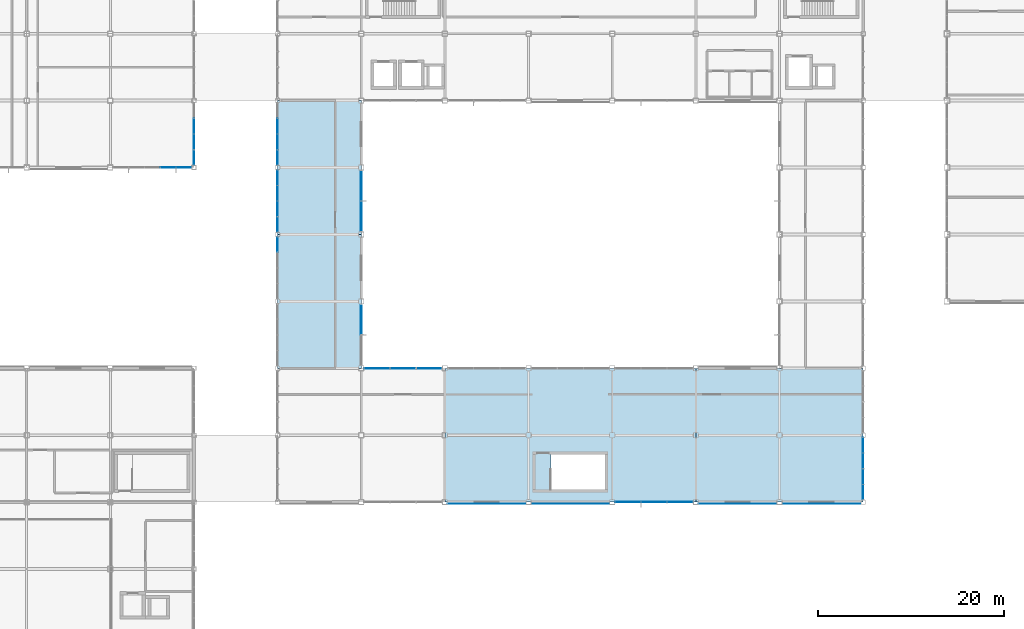
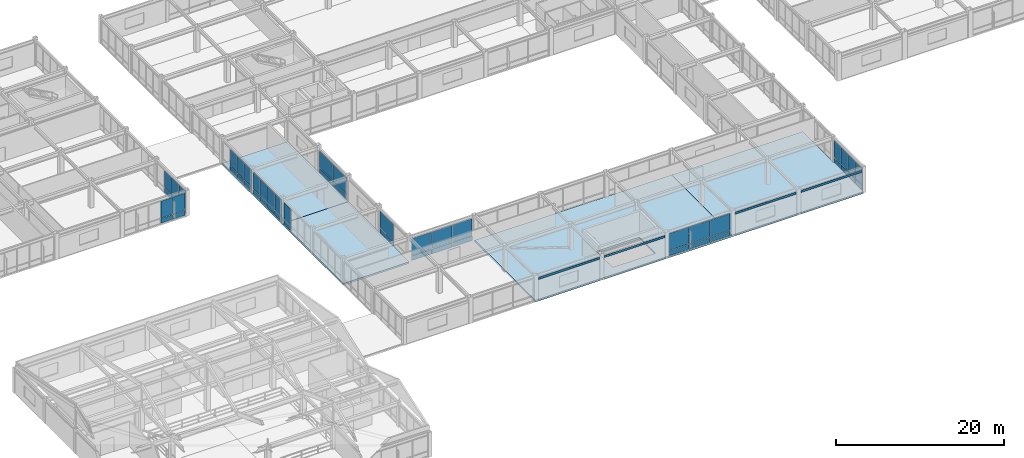
# One storey, part 85 of 113: 56 plates, 4 slabs, 10 elements without a shape of their own.
"""IFC4 building model written with IfcOpenShell, lengths in metres."""

from ifc_helpers import new_model, si_unit, direction, frame, origin, origin_2d, place, context, subcontext, project, spatial, polyline, rectangle, outline, extrude, material, layer, layer_set, type_object, element, aggregate, save


model = new_model("IFC4")

# Units and contexts
model_context = context("Model", 3, precision=1e-05, world=origin(), true_north=direction((0.0, 1.0)))
body_context = subcontext(model_context, "Body", "Model", "MODEL_VIEW")
ifc_project = project(units=[si_unit("LENGTHUNIT", "METRE"), si_unit("AREAUNIT", "SQUARE_METRE"), si_unit("VOLUMEUNIT", "CUBIC_METRE"), si_unit("PLANEANGLEUNIT", "RADIAN"), si_unit("MASSUNIT", "GRAM", prefix="KILO")], contexts=[model_context])

# Site, building, storey
site_placement = place(None, origin())
site = spatial("IfcSite", under=ifc_project, at=site_placement, CompositionType="ELEMENT")
building_placement = place(site_placement, origin())
building = spatial("IfcBuilding", under=site, at=building_placement, Name="Kazanami Central Library", CompositionType="ELEMENT")
storey_placement = place(building_placement, frame((0.0, 0.0, 8.800048828125)))
storey = spatial("IfcBuildingStorey", under=building, at=storey_placement, Name="L03", CompositionType="ELEMENT", Elevation=8.800048828125)

# Curtain wall, plates
ifc_material_1 = material(Name="Acid-Etched Low-E Laminated Glass", Category="glass")
curtain_wall_type_1 = type_object("IfcCurtainWallType", Name="CW-8450x3330-M275", PredefinedType="USERDEFINED", material=ifc_material_1)
curtain_wall_1_placement = place(storey_placement, origin())
curtain_wall_1 = element("IfcCurtainWall", 1, at=curtain_wall_1_placement, inside=storey, type_object=curtain_wall_type_1, Name="Unitised Curtain Wall CW-25 L03 N-F-06", ObjectType="UNITISED CURTAIN WALL", PredefinedType="USERDEFINED")
ifc_layer_1 = layer(ifc_material_1, 0.035888671875, Name="Acid-Etched Low-E Laminated Glass")
ifc_layer_set_1 = layer_set([ifc_layer_1], Name="Acid-Etched Low-E Laminated Glass")
plate_type_1 = type_object("IfcPlateType", Name="PLT-CW-P1", PredefinedType="CURTAIN_PANEL", material=ifc_layer_set_1)
plate_1_placement = place(storey_placement, frame((61.299072265625, 36.0, 0.81494140625), z_axis=(0.0, 0.0, 1.0), x_axis=(-1.0, 0.0, 0.0)))
plate_1 = element("IfcPlate", 2, at=plate_1_placement, type_object=plate_type_1, Name="CW-25 panel 1.2", PredefinedType="CURTAIN_PANEL", context=body_context, shape_type="SweptSolid", body=[
    extrude(rectangle(XDim=2.711669921875, YDim=0.035888671875, at=origin_2d()), origin(), (0.0, 0.0, 1.0), 2.445068359375),
])
plate_2_placement = place(storey_placement, frame((58.5, 36.0, 0.81494140625), z_axis=(0.0, 0.0, 1.0), x_axis=(-1.0, 0.0, 0.0)))
plate_2 = element("IfcPlate", 3, at=plate_2_placement, type_object=plate_type_1, Name="CW-25 panel 2.2", PredefinedType="CURTAIN_PANEL", context=body_context, shape_type="SweptSolid", body=[
    extrude(rectangle(XDim=2.74658203125, YDim=0.035888671875, at=origin_2d()), origin(), (0.0, 0.0, 1.0), 2.445068359375),
])
plate_3_placement = place(storey_placement, frame((55.700927734375, 36.0, 0.81494140625), z_axis=(0.0, 0.0, 1.0), x_axis=(-1.0, 0.0, 0.0)))
plate_3 = element("IfcPlate", 4, at=plate_3_placement, type_object=plate_type_1, Name="CW-25 panel 3.2", PredefinedType="CURTAIN_PANEL", context=body_context, shape_type="SweptSolid", body=[
    extrude(rectangle(XDim=2.711669921875, YDim=0.035888671875, at=origin_2d()), origin(), (0.0, 0.0, 1.0), 2.445068359375),
])

curtain_wall_2_placement = place(storey_placement, origin())
curtain_wall_2 = element("IfcCurtainWall", 5, at=curtain_wall_2_placement, inside=storey, type_object=curtain_wall_type_1, Name="Unitised Curtain Wall CW-25 L03 S-D-09", ObjectType="UNITISED CURTAIN WALL", PredefinedType="USERDEFINED")
ifc_layer_2 = layer(ifc_material_1, 0.0439453125, Name="Acid-Etched Low-E Laminated Glass")
ifc_layer_set_2 = layer_set([ifc_layer_2], Name="Acid-Etched Low-E Laminated Glass")
plate_type_2 = type_object("IfcPlateType", Name="PLT-CW-P2", PredefinedType="CURTAIN_PANEL", material=ifc_layer_set_2)
plate_4_placement = place(storey_placement, frame((82.700927734375, 21.60009765625, 0.81494140625), z_axis=(0.0, 0.0, 1.0), x_axis=(1.0, 0.0, 0.0)))
plate_4 = element("IfcPlate", 6, at=plate_4_placement, type_object=plate_type_2, Name="CW-25 panel 1.2", PredefinedType="CURTAIN_PANEL", context=body_context, shape_type="SweptSolid", body=[
    extrude(rectangle(XDim=2.711669921875, YDim=0.0439453125, at=origin_2d()), origin(), (0.0, 0.0, 1.0), 2.445068359375),
])
plate_5_placement = place(storey_placement, frame((85.5, 21.60009765625, 0.81494140625), z_axis=(0.0, 0.0, 1.0), x_axis=(1.0, 0.0, 0.0)))
plate_5 = element("IfcPlate", 7, at=plate_5_placement, type_object=plate_type_2, Name="CW-25 panel 2.2", PredefinedType="CURTAIN_PANEL", context=body_context, shape_type="SweptSolid", body=[
    extrude(rectangle(XDim=2.74658203125, YDim=0.0439453125, at=origin_2d()), origin(), (0.0, 0.0, 1.0), 2.445068359375),
])
plate_6_placement = place(storey_placement, frame((88.299072265625, 21.60009765625, 0.81494140625), z_axis=(0.0, 0.0, 1.0), x_axis=(1.0, 0.0, 0.0)))
plate_6 = element("IfcPlate", 8, at=plate_6_placement, type_object=plate_type_2, Name="CW-25 panel 3.2", PredefinedType="CURTAIN_PANEL", context=body_context, shape_type="SweptSolid", body=[
    extrude(rectangle(XDim=2.711669921875, YDim=0.0439453125, at=origin_2d()), origin(), (0.0, 0.0, 1.0), 2.445068359375),
])

curtain_wall_type_2 = type_object("IfcCurtainWallType", Name="CW-8500x3330-M180", PredefinedType="USERDEFINED", material=ifc_material_1)
curtain_wall_3_placement = place(storey_placement, origin())
curtain_wall_3 = element("IfcCurtainWall", 9, at=curtain_wall_3_placement, inside=storey, type_object=curtain_wall_type_2, Name="Unitised Curtain Wall CW-28 L03 S-J-03", ObjectType="UNITISED CURTAIN WALL", PredefinedType="USERDEFINED")
plate_7_placement = place(storey_placement, frame((33.22509765625, 57.60009765625, 0.81005859375), z_axis=(0.0, 0.0, 1.0), x_axis=(1.0, 0.0, 0.0)))
plate_7 = element("IfcPlate", 10, at=plate_7_placement, type_object=plate_type_2, Name="CW-28 panel 4.2", PredefinedType="CURTAIN_PANEL", context=body_context, shape_type="SweptSolid", body=[
    extrude(rectangle(XDim=1.639892578125, YDim=0.0439453125, at=origin_2d()), origin(), (0.0, 0.0, 1.0), 2.4599609375),
])
plate_8_placement = place(storey_placement, frame((34.909912109375, 57.60009765625, 0.81005859375), z_axis=(0.0, 0.0, 1.0), x_axis=(1.0, 0.0, 0.0)))
plate_8 = element("IfcPlate", 11, at=plate_8_placement, type_object=plate_type_2, Name="CW-28 panel 5.2", PredefinedType="CURTAIN_PANEL", context=body_context, shape_type="SweptSolid", body=[
    extrude(rectangle(XDim=1.610107421875, YDim=0.0439453125, at=origin_2d()), origin(), (0.0, 0.0, 1.0), 2.4599609375),
])

# Curtain wall, plate
curtain_wall_type_3 = type_object("IfcCurtainWallType", Name="CW-6650x3295-M275", PredefinedType="USERDEFINED", material=ifc_material_1)
curtain_wall_4_placement = place(storey_placement, origin())
curtain_wall_4 = element("IfcCurtainWall", 12, at=curtain_wall_4_placement, inside=storey, type_object=curtain_wall_type_3, Name="Unitised Curtain Wall CW-35 L03 E-7-05", ObjectType="UNITISED CURTAIN WALL", PredefinedType="USERDEFINED")
plate_9_placement = place(storey_placement, frame((54.0, 41.2451171875, 0.81494140625), z_axis=(0.0, 0.0, 1.0), x_axis=(0.0, -1.0, 0.0)))
plate_9 = element("IfcPlate", 13, at=plate_9_placement, type_object=plate_type_2, Name="CW-35 panel 1.2", PredefinedType="CURTAIN_PANEL", context=body_context, shape_type="SweptSolid", body=[
    extrude(rectangle(XDim=3.219970703125, YDim=0.0439453125, at=origin_2d()), origin(), (0.0, 0.0, 1.0), 2.409912109375),
])

# Curtain wall, plates
curtain_wall_5_placement = place(storey_placement, origin())
curtain_wall_5 = element("IfcCurtainWall", 14, at=curtain_wall_5_placement, inside=storey, type_object=curtain_wall_type_3, Name="Unitised Curtain Wall CW-35 L03 E-7-07", ObjectType="UNITISED CURTAIN WALL", PredefinedType="USERDEFINED")
plate_10_placement = place(storey_placement, frame((54.0, 55.64501953125, 0.81494140625), z_axis=(0.0, 0.0, 1.0), x_axis=(0.0, -1.0, 0.0)))
plate_10 = element("IfcPlate", 15, at=plate_10_placement, type_object=plate_type_2, Name="CW-35 panel 1.2", PredefinedType="CURTAIN_PANEL", context=body_context, shape_type="SweptSolid", body=[
    extrude(rectangle(XDim=3.219970703125, YDim=0.0439453125, at=origin_2d()), origin(), (0.0, 0.0, 1.0), 2.409912109375),
])
plate_11_placement = place(storey_placement, frame((54.0, 52.35498046875, 0.81494140625), z_axis=(0.0, 0.0, 1.0), x_axis=(0.0, -1.0, 0.0)))
plate_11 = element("IfcPlate", 16, at=plate_11_placement, type_object=plate_type_2, Name="CW-35 panel 2.2", PredefinedType="CURTAIN_PANEL", context=body_context, shape_type="SweptSolid", body=[
    extrude(rectangle(XDim=3.219970703125, YDim=0.0439453125, at=origin_2d()), origin(), (0.0, 0.0, 1.0), 2.409912109375),
])

curtain_wall_type_4 = type_object("IfcCurtainWallType", Name="CW-6750x3330-M180", PredefinedType="USERDEFINED", material=ifc_material_1)
curtain_wall_6_placement = place(storey_placement, origin())
curtain_wall_6 = element("IfcCurtainWall", 17, at=curtain_wall_6_placement, inside=storey, type_object=curtain_wall_type_4, Name="Covered Link Bridge Curtain Wall CW-34 L03 E-5-08", ObjectType="UNITISED CURTAIN WALL", PredefinedType="USERDEFINED")
ifc_material_2 = material(Name="Low-E Insulated Triple Glass", Category="glass")
ifc_layer_3 = layer(ifc_material_2, 0.0400390625, Name="Low-E Insulated Triple Glass")
ifc_layer_set_3 = layer_set([ifc_layer_3], Name="Low-E Insulated Triple Glass")
plate_type_3 = type_object("IfcPlateType", Name="PLT-CW-P3", PredefinedType="CURTAIN_PANEL", material=ifc_layer_set_3)
plate_12_placement = place(storey_placement, frame((36.0, 62.043701171875, 0.81005859375), z_axis=(0.0, 0.0, 1.0), x_axis=(0.0, -1.0, 0.0)))
plate_12 = element("IfcPlate", 18, at=plate_12_placement, type_object=plate_type_3, Name="CW-34 panel 2.2", PredefinedType="CURTAIN_PANEL", context=body_context, shape_type="SweptSolid", body=[
    extrude(rectangle(XDim=1.62744140625, YDim=0.0400390625, at=origin_2d()), origin(), (0.0, 0.0, 1.0), 2.4599609375),
])
plate_13_placement = place(storey_placement, frame((36.0, 60.356201171875, 0.81005859375), z_axis=(0.0, 0.0, 1.0), x_axis=(0.0, -1.0, 0.0)))
plate_13 = element("IfcPlate", 19, at=plate_13_placement, type_object=plate_type_3, Name="CW-34 panel 3.2", PredefinedType="CURTAIN_PANEL", context=body_context, shape_type="SweptSolid", body=[
    extrude(rectangle(XDim=1.62744140625, YDim=0.0400390625, at=origin_2d()), origin(), (0.0, 0.0, 1.0), 2.4599609375),
])
plate_14_placement = place(storey_placement, frame((36.0, 58.683837890625, 0.81005859375), z_axis=(0.0, 0.0, 1.0), x_axis=(0.0, -1.0, 0.0)))
plate_14 = element("IfcPlate", 20, at=plate_14_placement, type_object=plate_type_3, Name="CW-34 panel 4.2", PredefinedType="CURTAIN_PANEL", context=body_context, shape_type="SweptSolid", body=[
    extrude(rectangle(XDim=1.597412109375, YDim=0.0400390625, at=origin_2d()), origin(), (0.0, 0.0, 1.0), 2.4599609375),
])

# Curtain wall, plate
curtain_wall_type_5 = type_object("IfcCurtainWallType", Name="CW-6750x3295-M180", PredefinedType="USERDEFINED", material=ifc_material_1)
curtain_wall_7_placement = place(storey_placement, origin())
curtain_wall_7 = element("IfcCurtainWall", 21, at=curtain_wall_7_placement, inside=storey, type_object=curtain_wall_type_5, Name="Covered Link Bridge Curtain Wall CW-32 L03 W-6-06", ObjectType="UNITISED CURTAIN WALL", PredefinedType="USERDEFINED")
plate_15_placement = place(storey_placement, frame((45.0, 49.313720703125, 0.81494140625), z_axis=(0.0, 0.0, 1.0), x_axis=(0.0, 1.0, 0.0)))
plate_15 = element("IfcPlate", 22, at=plate_15_placement, type_object=plate_type_3, Name="CW-32 panel 4.2", PredefinedType="CURTAIN_PANEL", context=body_context, shape_type="SweptSolid", body=[
    extrude(rectangle(XDim=1.58251953125, YDim=0.0400390625, at=origin_2d()), origin(), (0.0, 0.0, 1.0), 2.409912109375),
])

# Curtain wall, plates
curtain_wall_8_placement = place(storey_placement, origin())
curtain_wall_8 = element("IfcCurtainWall", 23, at=curtain_wall_8_placement, inside=storey, type_object=curtain_wall_type_5, Name="Covered Link Bridge Curtain Wall CW-32 L03 W-6-07", ObjectType="UNITISED CURTAIN WALL", PredefinedType="USERDEFINED")
plate_16_placement = place(storey_placement, frame((45.0, 51.486328125, 0.81494140625), z_axis=(0.0, 0.0, 1.0), x_axis=(0.0, 1.0, 0.0)))
plate_16 = element("IfcPlate", 24, at=plate_16_placement, type_object=plate_type_3, Name="CW-32 panel 1.2", PredefinedType="CURTAIN_PANEL", context=body_context, shape_type="SweptSolid", body=[
    extrude(rectangle(XDim=1.58251953125, YDim=0.0400390625, at=origin_2d()), origin(), (0.0, 0.0, 1.0), 2.409912109375),
])
plate_17_placement = place(storey_placement, frame((45.0, 53.15625, 0.81494140625), z_axis=(0.0, 0.0, 1.0), x_axis=(0.0, 1.0, 0.0)))
plate_17 = element("IfcPlate", 25, at=plate_17_placement, type_object=plate_type_3, Name="CW-32 panel 2.2", PredefinedType="CURTAIN_PANEL", context=body_context, shape_type="SweptSolid", body=[
    extrude(rectangle(XDim=1.617431640625, YDim=0.0400390625, at=origin_2d()), origin(), (0.0, 0.0, 1.0), 2.409912109375),
])
plate_18_placement = place(storey_placement, frame((45.0, 54.84375, 0.81494140625), z_axis=(0.0, 0.0, 1.0), x_axis=(0.0, 1.0, 0.0)))
plate_18 = element("IfcPlate", 26, at=plate_18_placement, type_object=plate_type_3, Name="CW-32 panel 3.2", PredefinedType="CURTAIN_PANEL", context=body_context, shape_type="SweptSolid", body=[
    extrude(rectangle(XDim=1.617431640625, YDim=0.0400390625, at=origin_2d()), origin(), (0.0, 0.0, 1.0), 2.409912109375),
])
plate_19_placement = place(storey_placement, frame((45.0, 56.513671875, 0.81494140625), z_axis=(0.0, 0.0, 1.0), x_axis=(0.0, 1.0, 0.0)))
plate_19 = element("IfcPlate", 27, at=plate_19_placement, type_object=plate_type_3, Name="CW-32 panel 4.2", PredefinedType="CURTAIN_PANEL", context=body_context, shape_type="SweptSolid", body=[
    extrude(rectangle(XDim=1.58251953125, YDim=0.0400390625, at=origin_2d()), origin(), (0.0, 0.0, 1.0), 2.409912109375),
])

curtain_wall_9_placement = place(storey_placement, origin())
curtain_wall_9 = element("IfcCurtainWall", 28, at=curtain_wall_9_placement, inside=storey, type_object=curtain_wall_type_5, Name="Covered Link Bridge Curtain Wall CW-32 L03 W-6-08", ObjectType="UNITISED CURTAIN WALL", PredefinedType="USERDEFINED")
plate_20_placement = place(storey_placement, frame((45.0, 58.686279296875, 0.81494140625), z_axis=(0.0, 0.0, 1.0), x_axis=(0.0, 1.0, 0.0)))
plate_20 = element("IfcPlate", 29, at=plate_20_placement, type_object=plate_type_3, Name="CW-32 panel 1.2", PredefinedType="CURTAIN_PANEL", context=body_context, shape_type="SweptSolid", body=[
    extrude(rectangle(XDim=1.58251953125, YDim=0.0400390625, at=origin_2d()), origin(), (0.0, 0.0, 1.0), 2.409912109375),
])
plate_21_placement = place(storey_placement, frame((45.0, 60.356201171875, 0.81494140625), z_axis=(0.0, 0.0, 1.0), x_axis=(0.0, 1.0, 0.0)))
plate_21 = element("IfcPlate", 30, at=plate_21_placement, type_object=plate_type_3, Name="CW-32 panel 2.2", PredefinedType="CURTAIN_PANEL", context=body_context, shape_type="SweptSolid", body=[
    extrude(rectangle(XDim=1.617431640625, YDim=0.0400390625, at=origin_2d()), origin(), (0.0, 0.0, 1.0), 2.409912109375),
])
plate_22_placement = place(storey_placement, frame((45.0, 62.043701171875, 0.81494140625), z_axis=(0.0, 0.0, 1.0), x_axis=(0.0, 1.0, 0.0)))
plate_22 = element("IfcPlate", 31, at=plate_22_placement, type_object=plate_type_3, Name="CW-32 panel 3.2", PredefinedType="CURTAIN_PANEL", context=body_context, shape_type="SweptSolid", body=[
    extrude(rectangle(XDim=1.617431640625, YDim=0.0400390625, at=origin_2d()), origin(), (0.0, 0.0, 1.0), 2.409912109375),
])

curtain_wall_10_placement = place(storey_placement, origin())
curtain_wall_10 = element("IfcCurtainWall", 32, at=curtain_wall_10_placement, inside=storey, type_object=curtain_wall_type_4, Name="Covered Link Bridge Curtain Wall CW-34 L03 E-13-03", ObjectType="UNITISED CURTAIN WALL", PredefinedType="USERDEFINED")
plate_23_placement = place(storey_placement, frame((108.0, 27.7138671875, 0.81494140625), z_axis=(0.0, 0.0, 1.0), x_axis=(0.0, -1.0, 0.0)))
plate_23 = element("IfcPlate", 33, at=plate_23_placement, type_object=plate_type_3, Name="CW-34 panel 1.2", PredefinedType="CURTAIN_PANEL", context=body_context, shape_type="SweptSolid", body=[
    extrude(rectangle(XDim=1.58251953125, YDim=0.0400390625, at=origin_2d()), origin(), (0.0, 0.0, 1.0), 2.445068359375),
])
plate_24_placement = place(storey_placement, frame((108.0, 26.043701171875, 0.81494140625), z_axis=(0.0, 0.0, 1.0), x_axis=(0.0, -1.0, 0.0)))
plate_24 = element("IfcPlate", 34, at=plate_24_placement, type_object=plate_type_3, Name="CW-34 panel 2.2", PredefinedType="CURTAIN_PANEL", context=body_context, shape_type="SweptSolid", body=[
    extrude(rectangle(XDim=1.617431640625, YDim=0.0400390625, at=origin_2d()), origin(), (0.0, 0.0, 1.0), 2.445068359375),
])
plate_25_placement = place(storey_placement, frame((108.0, 24.356201171875, 0.81494140625), z_axis=(0.0, 0.0, 1.0), x_axis=(0.0, -1.0, 0.0)))
plate_25 = element("IfcPlate", 35, at=plate_25_placement, type_object=plate_type_3, Name="CW-34 panel 3.2", PredefinedType="CURTAIN_PANEL", context=body_context, shape_type="SweptSolid", body=[
    extrude(rectangle(XDim=1.617431640625, YDim=0.0400390625, at=origin_2d()), origin(), (0.0, 0.0, 1.0), 2.445068359375),
])
plate_26_placement = place(storey_placement, frame((108.0, 22.686279296875, 0.81494140625), z_axis=(0.0, 0.0, 1.0), x_axis=(0.0, -1.0, 0.0)))
plate_26 = element("IfcPlate", 36, at=plate_26_placement, type_object=plate_type_3, Name="CW-34 panel 4.2", PredefinedType="CURTAIN_PANEL", context=body_context, shape_type="SweptSolid", body=[
    extrude(rectangle(XDim=1.58251953125, YDim=0.0400390625, at=origin_2d()), origin(), (0.0, 0.0, 1.0), 2.445068359375),
])

# Plate
ifc_material_3 = material(Name="Anodised Aluminium A5052-H32", Category="aluminium")
ifc_layer_4 = layer(ifc_material_3, 0.06005859375, Name="Anodised Aluminium A5052-H32")
ifc_layer_set_4 = layer_set([ifc_layer_4], Name="Anodised Aluminium A5052-H32")
plate_type_4 = type_object("IfcPlateType", Name="PLT-CW-SP1", PredefinedType="CURTAIN_PANEL", material=ifc_layer_set_4)
plate_27_placement = place(storey_placement, frame((82.700927734375, 21.60009765625, 0.06982421875), z_axis=(0.0, 0.0, 1.0), x_axis=(1.0, 0.0, 0.0)))
plate_27 = element("IfcPlate", 37, at=plate_27_placement, type_object=plate_type_4, Name="CW-25 panel 1.1", PredefinedType="CURTAIN_PANEL", context=body_context, shape_type="SweptSolid", body=[
    extrude(rectangle(XDim=2.711669921875, YDim=0.06005859375, at=origin_2d()), origin(), (0.0, 0.0, 1.0), 0.675048828125),
])

plate_28_placement = place(storey_placement, frame((85.5, 21.60009765625, 0.06982421875), z_axis=(0.0, 0.0, 1.0), x_axis=(1.0, 0.0, 0.0)))
plate_28 = element("IfcPlate", 38, at=plate_28_placement, type_object=plate_type_4, Name="CW-25 panel 2.1", PredefinedType="CURTAIN_PANEL", context=body_context, shape_type="SweptSolid", body=[
    extrude(rectangle(XDim=2.74658203125, YDim=0.06005859375, at=origin_2d()), origin(), (0.0, 0.0, 1.0), 0.675048828125),
])

plate_29_placement = place(storey_placement, frame((88.299072265625, 21.60009765625, 0.06982421875), z_axis=(0.0, 0.0, 1.0), x_axis=(1.0, 0.0, 0.0)))
plate_29 = element("IfcPlate", 39, at=plate_29_placement, type_object=plate_type_4, Name="CW-25 panel 3.1", PredefinedType="CURTAIN_PANEL", context=body_context, shape_type="SweptSolid", body=[
    extrude(rectangle(XDim=2.711669921875, YDim=0.06005859375, at=origin_2d()), origin(), (0.0, 0.0, 1.0), 0.675048828125),
])

aggregate(curtain_wall_2, [plate_27, plate_4, plate_28, plate_5, plate_29, plate_6])

plate_30_placement = place(storey_placement, frame((61.299072265625, 36.0, 0.06982421875), z_axis=(0.0, 0.0, 1.0), x_axis=(-1.0, 0.0, 0.0)))
plate_30 = element("IfcPlate", 40, at=plate_30_placement, type_object=plate_type_4, Name="CW-25 panel 1.1", PredefinedType="CURTAIN_PANEL", context=body_context, shape_type="SweptSolid", body=[
    extrude(rectangle(XDim=2.711669921875, YDim=0.06005859375, at=origin_2d()), origin(), (0.0, 0.0, 1.0), 0.675048828125),
])

plate_31_placement = place(storey_placement, frame((58.5, 36.0, 0.06982421875), z_axis=(0.0, 0.0, 1.0), x_axis=(-1.0, 0.0, 0.0)))
plate_31 = element("IfcPlate", 41, at=plate_31_placement, type_object=plate_type_4, Name="CW-25 panel 2.1", PredefinedType="CURTAIN_PANEL", context=body_context, shape_type="SweptSolid", body=[
    extrude(rectangle(XDim=2.74658203125, YDim=0.06005859375, at=origin_2d()), origin(), (0.0, 0.0, 1.0), 0.675048828125),
])

plate_32_placement = place(storey_placement, frame((55.700927734375, 36.0, 0.06982421875), z_axis=(0.0, 0.0, 1.0), x_axis=(-1.0, 0.0, 0.0)))
plate_32 = element("IfcPlate", 42, at=plate_32_placement, type_object=plate_type_4, Name="CW-25 panel 3.1", PredefinedType="CURTAIN_PANEL", context=body_context, shape_type="SweptSolid", body=[
    extrude(rectangle(XDim=2.711669921875, YDim=0.06005859375, at=origin_2d()), origin(), (0.0, 0.0, 1.0), 0.675048828125),
])

aggregate(curtain_wall_1, [plate_30, plate_1, plate_31, plate_2, plate_32, plate_3])

plate_33_placement = place(storey_placement, frame((45.0, 49.313720703125, 0.06982421875), z_axis=(0.0, 0.0, 1.0), x_axis=(0.0, 1.0, 0.0)))
plate_33 = element("IfcPlate", 43, at=plate_33_placement, type_object=plate_type_4, Name="CW-32 panel 4.1", PredefinedType="CURTAIN_PANEL", context=body_context, shape_type="SweptSolid", body=[
    extrude(rectangle(XDim=1.58251953125, YDim=0.06005859375, at=origin_2d()), origin(), (0.0, 0.0, 1.0), 0.675048828125),
])

aggregate(curtain_wall_7, [plate_33, plate_15])

plate_34_placement = place(storey_placement, frame((45.0, 51.486328125, 0.06982421875), z_axis=(0.0, 0.0, 1.0), x_axis=(0.0, 1.0, 0.0)))
plate_34 = element("IfcPlate", 44, at=plate_34_placement, type_object=plate_type_4, Name="CW-32 panel 1.1", PredefinedType="CURTAIN_PANEL", context=body_context, shape_type="SweptSolid", body=[
    extrude(rectangle(XDim=1.58251953125, YDim=0.06005859375, at=origin_2d()), origin(), (0.0, 0.0, 1.0), 0.675048828125),
])

plate_35_placement = place(storey_placement, frame((45.0, 53.15625, 0.06982421875), z_axis=(0.0, 0.0, 1.0), x_axis=(0.0, 1.0, 0.0)))
plate_35 = element("IfcPlate", 45, at=plate_35_placement, type_object=plate_type_4, Name="CW-32 panel 2.1", PredefinedType="CURTAIN_PANEL", context=body_context, shape_type="SweptSolid", body=[
    extrude(rectangle(XDim=1.617431640625, YDim=0.06005859375, at=origin_2d()), origin(), (0.0, 0.0, 1.0), 0.675048828125),
])

plate_36_placement = place(storey_placement, frame((45.0, 54.84375, 0.06982421875), z_axis=(0.0, 0.0, 1.0), x_axis=(0.0, 1.0, 0.0)))
plate_36 = element("IfcPlate", 46, at=plate_36_placement, type_object=plate_type_4, Name="CW-32 panel 3.1", PredefinedType="CURTAIN_PANEL", context=body_context, shape_type="SweptSolid", body=[
    extrude(rectangle(XDim=1.617431640625, YDim=0.06005859375, at=origin_2d()), origin(), (0.0, 0.0, 1.0), 0.675048828125),
])

plate_37_placement = place(storey_placement, frame((45.0, 56.513671875, 0.06982421875), z_axis=(0.0, 0.0, 1.0), x_axis=(0.0, 1.0, 0.0)))
plate_37 = element("IfcPlate", 47, at=plate_37_placement, type_object=plate_type_4, Name="CW-32 panel 4.1", PredefinedType="CURTAIN_PANEL", context=body_context, shape_type="SweptSolid", body=[
    extrude(rectangle(XDim=1.58251953125, YDim=0.06005859375, at=origin_2d()), origin(), (0.0, 0.0, 1.0), 0.675048828125),
])

aggregate(curtain_wall_8, [plate_34, plate_16, plate_35, plate_17, plate_36, plate_18, plate_37, plate_19])

plate_38_placement = place(storey_placement, frame((45.0, 58.686279296875, 0.06982421875), z_axis=(0.0, 0.0, 1.0), x_axis=(0.0, 1.0, 0.0)))
plate_38 = element("IfcPlate", 48, at=plate_38_placement, type_object=plate_type_4, Name="CW-32 panel 1.1", PredefinedType="CURTAIN_PANEL", context=body_context, shape_type="SweptSolid", body=[
    extrude(rectangle(XDim=1.58251953125, YDim=0.06005859375, at=origin_2d()), origin(), (0.0, 0.0, 1.0), 0.675048828125),
])

plate_39_placement = place(storey_placement, frame((45.0, 60.356201171875, 0.06982421875), z_axis=(0.0, 0.0, 1.0), x_axis=(0.0, 1.0, 0.0)))
plate_39 = element("IfcPlate", 49, at=plate_39_placement, type_object=plate_type_4, Name="CW-32 panel 2.1", PredefinedType="CURTAIN_PANEL", context=body_context, shape_type="SweptSolid", body=[
    extrude(rectangle(XDim=1.617431640625, YDim=0.06005859375, at=origin_2d()), origin(), (0.0, 0.0, 1.0), 0.675048828125),
])

plate_40_placement = place(storey_placement, frame((45.0, 62.043701171875, 0.06982421875), z_axis=(0.0, 0.0, 1.0), x_axis=(0.0, 1.0, 0.0)))
plate_40 = element("IfcPlate", 50, at=plate_40_placement, type_object=plate_type_4, Name="CW-32 panel 3.1", PredefinedType="CURTAIN_PANEL", context=body_context, shape_type="SweptSolid", body=[
    extrude(rectangle(XDim=1.617431640625, YDim=0.06005859375, at=origin_2d()), origin(), (0.0, 0.0, 1.0), 0.675048828125),
])

aggregate(curtain_wall_9, [plate_38, plate_20, plate_39, plate_21, plate_40, plate_22])

plate_41_placement = place(storey_placement, frame((54.0, 41.2451171875, 0.06982421875), z_axis=(0.0, 0.0, 1.0), x_axis=(0.0, -1.0, 0.0)))
plate_41 = element("IfcPlate", 51, at=plate_41_placement, type_object=plate_type_4, Name="CW-35 panel 1.1", PredefinedType="CURTAIN_PANEL", context=body_context, shape_type="SweptSolid", body=[
    extrude(rectangle(XDim=3.219970703125, YDim=0.06005859375, at=origin_2d()), origin(), (0.0, 0.0, 1.0), 0.675048828125),
])

aggregate(curtain_wall_4, [plate_41, plate_9])

plate_42_placement = place(storey_placement, frame((54.0, 55.64501953125, 0.06982421875), z_axis=(0.0, 0.0, 1.0), x_axis=(0.0, -1.0, 0.0)))
plate_42 = element("IfcPlate", 52, at=plate_42_placement, type_object=plate_type_4, Name="CW-35 panel 1.1", PredefinedType="CURTAIN_PANEL", context=body_context, shape_type="SweptSolid", body=[
    extrude(rectangle(XDim=3.219970703125, YDim=0.06005859375, at=origin_2d()), origin(), (0.0, 0.0, 1.0), 0.675048828125),
])

plate_43_placement = place(storey_placement, frame((54.0, 52.35498046875, 0.06982421875), z_axis=(0.0, 0.0, 1.0), x_axis=(0.0, -1.0, 0.0)))
plate_43 = element("IfcPlate", 53, at=plate_43_placement, type_object=plate_type_4, Name="CW-35 panel 2.1", PredefinedType="CURTAIN_PANEL", context=body_context, shape_type="SweptSolid", body=[
    extrude(rectangle(XDim=3.219970703125, YDim=0.06005859375, at=origin_2d()), origin(), (0.0, 0.0, 1.0), 0.675048828125),
])

aggregate(curtain_wall_5, [plate_42, plate_10, plate_43, plate_11])

plate_44_placement = place(storey_placement, frame((108.0, 27.7138671875, 0.06982421875), z_axis=(0.0, 0.0, 1.0), x_axis=(0.0, -1.0, 0.0)))
plate_44 = element("IfcPlate", 54, at=plate_44_placement, type_object=plate_type_4, Name="CW-34 panel 1.1", PredefinedType="CURTAIN_PANEL", context=body_context, shape_type="SweptSolid", body=[
    extrude(rectangle(XDim=1.58251953125, YDim=0.06005859375, at=origin_2d()), origin(), (0.0, 0.0, 1.0), 0.675048828125),
])

plate_45_placement = place(storey_placement, frame((108.0, 26.043701171875, 0.06982421875), z_axis=(0.0, 0.0, 1.0), x_axis=(0.0, -1.0, 0.0)))
plate_45 = element("IfcPlate", 55, at=plate_45_placement, type_object=plate_type_4, Name="CW-34 panel 2.1", PredefinedType="CURTAIN_PANEL", context=body_context, shape_type="SweptSolid", body=[
    extrude(rectangle(XDim=1.617431640625, YDim=0.06005859375, at=origin_2d()), origin(), (0.0, 0.0, 1.0), 0.675048828125),
])

plate_46_placement = place(storey_placement, frame((108.0, 24.356201171875, 0.06982421875), z_axis=(0.0, 0.0, 1.0), x_axis=(0.0, -1.0, 0.0)))
plate_46 = element("IfcPlate", 56, at=plate_46_placement, type_object=plate_type_4, Name="CW-34 panel 3.1", PredefinedType="CURTAIN_PANEL", context=body_context, shape_type="SweptSolid", body=[
    extrude(rectangle(XDim=1.617431640625, YDim=0.06005859375, at=origin_2d()), origin(), (0.0, 0.0, 1.0), 0.675048828125),
])

plate_47_placement = place(storey_placement, frame((108.0, 22.686279296875, 0.06982421875), z_axis=(0.0, 0.0, 1.0), x_axis=(0.0, -1.0, 0.0)))
plate_47 = element("IfcPlate", 57, at=plate_47_placement, type_object=plate_type_4, Name="CW-34 panel 4.1", PredefinedType="CURTAIN_PANEL", context=body_context, shape_type="SweptSolid", body=[
    extrude(rectangle(XDim=1.58251953125, YDim=0.06005859375, at=origin_2d()), origin(), (0.0, 0.0, 1.0), 0.675048828125),
])

aggregate(curtain_wall_10, [plate_44, plate_23, plate_45, plate_24, plate_46, plate_25, plate_47, plate_26])

ifc_layer_5 = layer(ifc_material_3, 0.052001953125, Name="Anodised Aluminium A5052-H32")
ifc_layer_set_5 = layer_set([ifc_layer_5], Name="Anodised Aluminium A5052-H32")
plate_type_5 = type_object("IfcPlateType", Name="PLT-CW-SP2", PredefinedType="CURTAIN_PANEL", material=ifc_layer_set_5)
plate_48_placement = place(storey_placement, frame((36.0, 62.043701171875, 0.06005859375), z_axis=(0.0, 0.0, 1.0), x_axis=(0.0, -1.0, 0.0)))
plate_48 = element("IfcPlate", 58, at=plate_48_placement, type_object=plate_type_5, Name="CW-34 panel 2.1", PredefinedType="CURTAIN_PANEL", context=body_context, shape_type="SweptSolid", body=[
    extrude(rectangle(XDim=1.62744140625, YDim=0.052001953125, at=origin_2d()), origin(), (0.0, 0.0, 1.0), 0.68994140625),
])

plate_49_placement = place(storey_placement, frame((36.0, 60.356201171875, 0.06005859375), z_axis=(0.0, 0.0, 1.0), x_axis=(0.0, -1.0, 0.0)))
plate_49 = element("IfcPlate", 59, at=plate_49_placement, type_object=plate_type_5, Name="CW-34 panel 3.1", PredefinedType="CURTAIN_PANEL", context=body_context, shape_type="SweptSolid", body=[
    extrude(rectangle(XDim=1.62744140625, YDim=0.052001953125, at=origin_2d()), origin(), (0.0, 0.0, 1.0), 0.68994140625),
])

plate_50_placement = place(storey_placement, frame((36.0, 58.683837890625, 0.06005859375), z_axis=(0.0, 0.0, 1.0), x_axis=(0.0, -1.0, 0.0)))
plate_50 = element("IfcPlate", 60, at=plate_50_placement, type_object=plate_type_5, Name="CW-34 panel 4.1", PredefinedType="CURTAIN_PANEL", context=body_context, shape_type="SweptSolid", body=[
    extrude(rectangle(XDim=1.597412109375, YDim=0.052001953125, at=origin_2d()), origin(), (0.0, 0.0, 1.0), 0.68994140625),
])

aggregate(curtain_wall_6, [plate_48, plate_12, plate_49, plate_13, plate_50, plate_14])

ifc_layer_6 = layer(ifc_material_3, 0.048095703125, Name="Anodised Aluminium A5052-H32")
ifc_layer_set_6 = layer_set([ifc_layer_6], Name="Anodised Aluminium A5052-H32")
plate_type_6 = type_object("IfcPlateType", Name="PLT-CW-SP3", PredefinedType="CURTAIN_PANEL", material=ifc_layer_set_6)
plate_51_placement = place(storey_placement, frame((33.22509765625, 57.60009765625, 0.06005859375), z_axis=(0.0, 0.0, 1.0), x_axis=(1.0, 0.0, 0.0)))
plate_51 = element("IfcPlate", 61, at=plate_51_placement, type_object=plate_type_6, Name="CW-28 panel 4.1", PredefinedType="CURTAIN_PANEL", context=body_context, shape_type="SweptSolid", body=[
    extrude(rectangle(XDim=1.639892578125, YDim=0.048095703125, at=origin_2d()), origin(), (0.0, 0.0, 1.0), 0.68994140625),
])

plate_52_placement = place(storey_placement, frame((34.909912109375, 57.60009765625, 0.06005859375), z_axis=(0.0, 0.0, 1.0), x_axis=(1.0, 0.0, 0.0)))
plate_52 = element("IfcPlate", 62, at=plate_52_placement, type_object=plate_type_6, Name="CW-28 panel 5.1", PredefinedType="CURTAIN_PANEL", context=body_context, shape_type="SweptSolid", body=[
    extrude(rectangle(XDim=1.610107421875, YDim=0.048095703125, at=origin_2d()), origin(), (0.0, 0.0, 1.0), 0.68994140625),
])

aggregate(curtain_wall_3, [plate_51, plate_7, plate_52, plate_8])

# Plates
ifc_layer_7 = layer(ifc_material_3, 0.011962890625, Name="Anodised Aluminium A5052-H32")
ifc_layer_set_7 = layer_set([ifc_layer_7], Name="Anodised Aluminium A5052-H32")
plate_type_7 = type_object("IfcPlateType", Name="PLT-SPN-12", PredefinedType="SHEET", material=ifc_layer_set_7)
plate_53_placement = place(storey_placement, frame((94.5, 21.43408203125, 3.02001953125), z_axis=(0.0, 0.0, 1.0), x_axis=(1.0, 0.0, 0.0)))
element("IfcPlate", 63, at=plate_53_placement, inside=storey, type_object=plate_type_7, Name="Architectural Spandrel Sheet SPN-12 L03 S-D-10", PredefinedType="SHEET", context=body_context, shape_type="SweptSolid", body=[
    extrude(rectangle(XDim=8.35009765625, YDim=0.011962890625, at=origin_2d()), origin(), (0.0, 0.0, 1.0), 0.300048828125),
])
ifc_layer_8 = layer(ifc_material_3, 0.013916015625, Name="Anodised Aluminium A5052-H32")
ifc_layer_set_8 = layer_set([ifc_layer_8], Name="Anodised Aluminium A5052-H32")
plate_type_8 = type_object("IfcPlateType", Name="PLT-SPN-14", PredefinedType="SHEET", material=ifc_layer_set_8)
plate_54_placement = place(storey_placement, frame((103.52490234375, 21.43310546875, 3.02001953125), z_axis=(0.0, 0.0, 1.0), x_axis=(1.0, 0.0, 0.0)))
element("IfcPlate", 64, at=plate_54_placement, inside=storey, type_object=plate_type_8, Name="Architectural Spandrel Sheet SPN-14 L03 S-D-11", PredefinedType="SHEET", context=body_context, shape_type="SweptSolid", body=[
    extrude(rectangle(XDim=8.39990234375, YDim=0.013916015625, at=origin_2d()), origin(), (0.0, 0.0, 1.0), 0.300048828125),
])
ifc_layer_9 = layer(ifc_material_3, 0.01806640625, Name="Anodised Aluminium A5052-H32")
ifc_layer_set_9 = layer_set([ifc_layer_9], Name="Anodised Aluminium A5052-H32")
plate_type_9 = type_object("IfcPlateType", Name="PLT-SPN-18", PredefinedType="SHEET", material=ifc_layer_set_9)
plate_55_placement = place(storey_placement, frame((67.5, 21.430908203125, 3.02001953125), z_axis=(0.0, 0.0, 1.0), x_axis=(1.0, 0.0, 0.0)))
element("IfcPlate", 65, at=plate_55_placement, inside=storey, type_object=plate_type_9, Name="Architectural Spandrel Sheet SPN-18 L03 S-D-07", PredefinedType="SHEET", context=body_context, shape_type="SweptSolid", body=[
    extrude(rectangle(XDim=8.35009765625, YDim=0.01806640625, at=origin_2d()), origin(), (0.0, 0.0, 1.0), 0.300048828125),
])
ifc_layer_10 = layer(ifc_material_3, 0.02001953125, Name="Anodised Aluminium A5052-H32")
ifc_layer_set_10 = layer_set([ifc_layer_10], Name="Anodised Aluminium A5052-H32")
plate_type_10 = type_object("IfcPlateType", Name="PLT-SPN-20", PredefinedType="SHEET", material=ifc_layer_set_10)
plate_56_placement = place(storey_placement, frame((76.5, 21.429931640625, 3.02001953125), z_axis=(0.0, 0.0, 1.0), x_axis=(1.0, 0.0, 0.0)))
element("IfcPlate", 66, at=plate_56_placement, inside=storey, type_object=plate_type_10, Name="Architectural Spandrel Sheet SPN-20 L03 S-D-08", PredefinedType="SHEET", context=body_context, shape_type="SweptSolid", body=[
    extrude(rectangle(XDim=8.35009765625, YDim=0.02001953125, at=origin_2d()), origin(), (0.0, 0.0, 1.0), 0.300048828125),
])

# Slabs
ifc_material_4 = material(Name="Concrete Fc36 (36 MPa)", Category="concrete")
ifc_layer_11 = layer(ifc_material_4, 0.2451171875, Name="Concrete Fc36 (36 MPa)")
ifc_layer_set_11 = layer_set([ifc_layer_11], Name="Concrete Fc36 (36 MPa)")
slab_type = type_object("IfcSlabType", Name="SLB-FLR-245", PredefinedType="FLOOR", material=ifc_layer_set_11)
slab_1_placement = place(storey_placement, frame((0.0, 0.0, -0.2451171875)))
element("IfcSlab", 67, at=slab_1_placement, inside=storey, type_object=slab_type, Name="Composite Floor Slab L03 V1-SOUTH Zone 12", PredefinedType="FLOOR", context=body_context, shape_type="SweptSolid", body=[
    extrude(outline(polyline([(63.0, 21.60009765625), (90.0, 21.60009765625), (90.0, 36.0), (63.0, 36.0), (63.0, 21.60009765625)]), holes=[polyline([(74.39990234375, 22.949951171875), (80.25, 22.949951171875), (80.25, 26.75), (74.39990234375, 26.75), (74.39990234375, 22.949951171875)])]), origin(), (0.0, 0.0, 1.0), 0.2451171875),
])
slab_2_placement = place(storey_placement, frame((0.0, 0.0, -0.2451171875)))
element("IfcSlab", 68, at=slab_2_placement, inside=storey, type_object=slab_type, Name="Composite Floor Slab L03 V1-SOUTH Zone 13", PredefinedType="FLOOR", context=body_context, shape_type="SweptSolid", body=[
    extrude(outline(polyline([(90.0, 21.60009765625), (108.0, 21.60009765625), (108.0, 36.0), (90.0, 36.0), (90.0, 21.60009765625)])), origin(), (0.0, 0.0, 1.0), 0.2451171875),
])
slab_3_placement = place(storey_placement, frame((0.0, 0.0, -0.2451171875)))
element("IfcSlab", 69, at=slab_3_placement, inside=storey, type_object=slab_type, Name="Composite Floor Slab L03 V1-WEST Zone 14", PredefinedType="FLOOR", context=body_context, shape_type="SweptSolid", body=[
    extrude(outline(polyline([(45.0, 36.0), (54.0, 36.0), (54.0, 50.39990234375), (45.0, 50.39990234375), (45.0, 36.0)])), origin(), (0.0, 0.0, 1.0), 0.2451171875),
])
slab_4_placement = place(storey_placement, frame((0.0, 0.0, -0.2451171875)))
element("IfcSlab", 70, at=slab_4_placement, inside=storey, type_object=slab_type, Name="Composite Floor Slab L03 V1-WEST Zone 15", PredefinedType="FLOOR", context=body_context, shape_type="SweptSolid", body=[
    extrude(outline(polyline([(45.0, 50.39990234375), (54.0, 50.39990234375), (54.0, 64.800048828125), (45.0, 64.800048828125), (45.0, 50.39990234375)])), origin(), (0.0, 0.0, 1.0), 0.2451171875),
])

save(model, "model.ifc")
